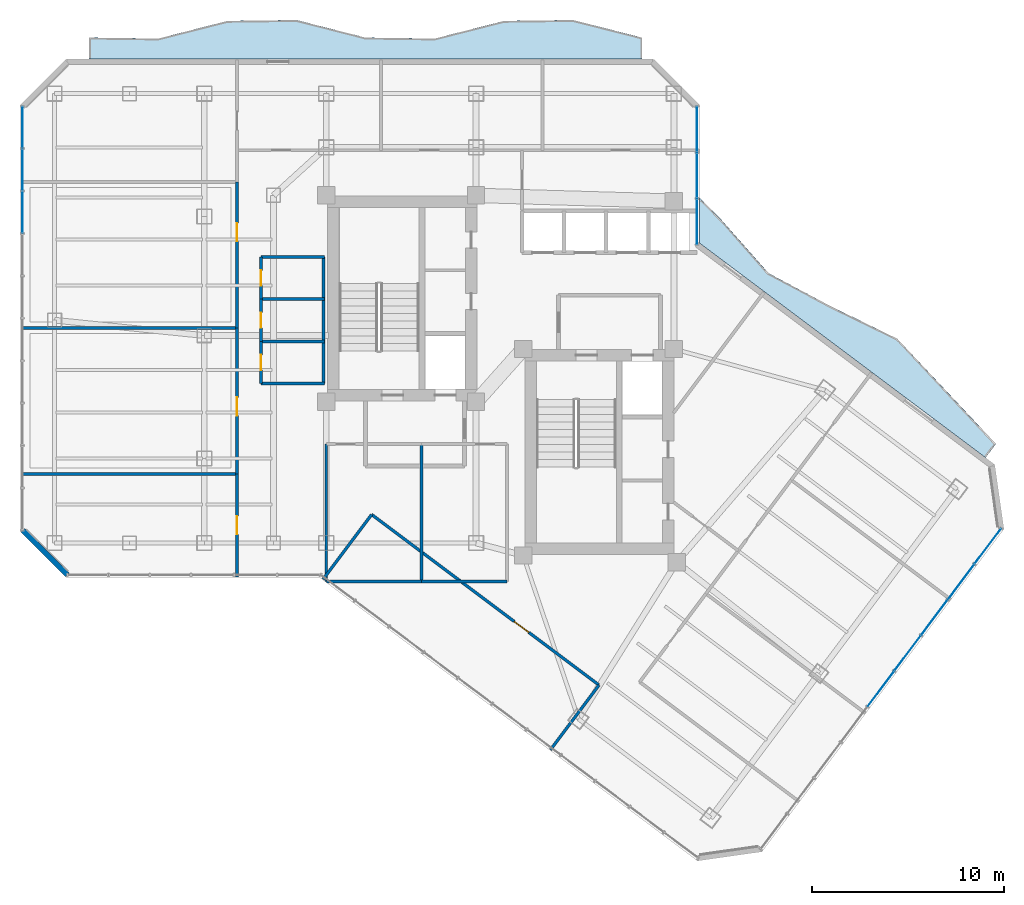
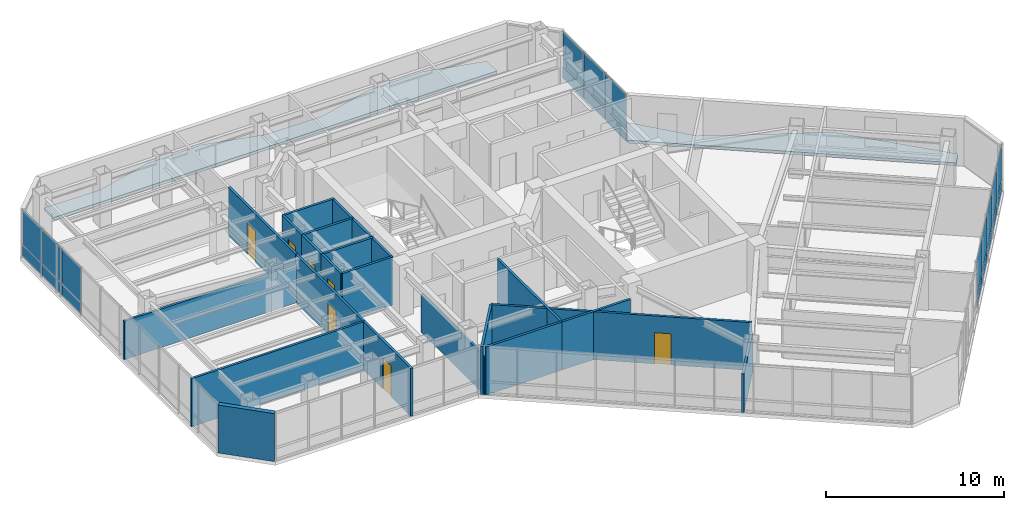
# One storey, part 24 of 29: 22 plates, 21 walls, 7 doors, 2 slabs, 7 openings, 3 elements without a shape of their own.
"""IFC4 building model written with IfcOpenShell, lengths in metres."""

from ifc_helpers import new_model, si_unit, direction, frame, frame_2d, origin, origin_2d, place, context, subcontext, project, spatial, polyline, rectangle, outline, extrude, material, layer, layer_set, type_object, element, fill, aggregate, save


model = new_model("IFC4")

# Units and contexts
model_context = context("Model", 3, precision=1e-05, world=origin(), true_north=direction((0.0, 1.0)))
body_context = subcontext(model_context, "Body", "Model", "MODEL_VIEW")
ifc_project = project(units=[si_unit("LENGTHUNIT", "METRE"), si_unit("AREAUNIT", "SQUARE_METRE"), si_unit("VOLUMEUNIT", "CUBIC_METRE"), si_unit("PLANEANGLEUNIT", "RADIAN"), si_unit("MASSUNIT", "GRAM", prefix="KILO")], contexts=[model_context])

# Site, building, storey
site_placement = place(None, origin())
site = spatial("IfcSite", under=ifc_project, at=site_placement, CompositionType="ELEMENT")
building_placement = place(site_placement, origin())
building = spatial("IfcBuilding", under=site, at=building_placement, Name="Hatsunagi Terrace Concourse", CompositionType="ELEMENT")
storey_placement = place(building_placement, frame((0.0, 0.0, 178.050048828125)))
storey = spatial("IfcBuildingStorey", under=building, at=storey_placement, Name="L47", CompositionType="ELEMENT", Elevation=178.050048828125)

# Curtain wall, plates
ifc_material_1 = material(Name="Anodised Aluminium Alloy 6063-T5", Category="aluminium")
ifc_layer_1 = layer(ifc_material_1, 0.199951171875)
ifc_layer_set_1 = layer_set([ifc_layer_1], Name="OfficeZone1_CW03")
curtain_wall_type = type_object("IfcCurtainWallType", Name="OfficeZone1_CW03", PredefinedType="NOTDEFINED", material=ifc_layer_set_1)
curtain_wall_1_placement = place(storey_placement, origin())
curtain_wall_1 = element("IfcCurtainWall", 1, at=curtain_wall_1_placement, inside=storey, type_object=curtain_wall_type, Name="Unitised Curtain Wall CW-03 CW-L47-03", PredefinedType="NOTDEFINED")
ifc_material_2 = material(Name="Warm Terracotta Ceramic Spandrel Panel", Category="masonry")
ifc_layer_2 = layer(ifc_material_2, 0.031982421875)
ifc_layer_set_2 = layer_set([ifc_layer_2], Name="CurtainWallSpandrelPanel_32")
plate_type_1 = type_object("IfcPlateType", Name="CurtainWallSpandrelPanel_32", PredefinedType="SHEET", material=ifc_layer_set_2)
plate_1_placement = place(storey_placement, frame((59.9970703125, 25.030029296875, 0.030029296875), z_axis=(0.0, 0.0, 1.0), x_axis=(-0.599969314634, -0.800023013105, 0.0)))
plate_1 = element("IfcPlate", 2, at=plate_1_placement, type_object=plate_type_1, Name="Terracotta Spandrel Panel SPN-01", PredefinedType="SHEET", context=body_context, shape_type="SweptSolid", body=[
    extrude(rectangle(XDim=2.264892578125, YDim=0.031982421875, at=origin_2d()), origin(), (0.0, 0.0, 1.0), 0.7900390625),
])
plate_2_placement = place(storey_placement, frame((58.60498046875, 23.173095703125, 0.030029296875), z_axis=(0.0, 0.0, 1.0), x_axis=(-0.599969314634, -0.800023013105, 0.0)))
plate_2 = element("IfcPlate", 3, at=plate_2_placement, type_object=plate_type_1, Name="Terracotta Spandrel Panel SPN-01", PredefinedType="SHEET", context=body_context, shape_type="SweptSolid", body=[
    extrude(rectangle(XDim=2.264892578125, YDim=0.031982421875, at=origin_2d()), origin(), (0.0, 0.0, 1.0), 0.7900390625),
])
plate_3_placement = place(storey_placement, frame((57.2119140625, 21.31689453125, 0.030029296875), z_axis=(0.0, 0.0, 1.0), x_axis=(-0.599969314634, -0.800023013105, 0.0)))
plate_3 = element("IfcPlate", 4, at=plate_3_placement, type_object=plate_type_1, Name="Terracotta Spandrel Panel SPN-01", PredefinedType="SHEET", context=body_context, shape_type="SweptSolid", body=[
    extrude(rectangle(XDim=2.264892578125, YDim=0.031982421875, at=origin_2d()), origin(), (0.0, 0.0, 1.0), 0.7900390625),
])
plate_4_placement = place(storey_placement, frame((55.820068359375, 19.4599609375, 0.030029296875), z_axis=(0.0, 0.0, 1.0), x_axis=(-0.599969314634, -0.800023013105, 0.0)))
plate_4 = element("IfcPlate", 5, at=plate_4_placement, type_object=plate_type_1, Name="Terracotta Spandrel Panel SPN-01", PredefinedType="SHEET", context=body_context, shape_type="SweptSolid", body=[
    extrude(rectangle(XDim=2.264892578125, YDim=0.031982421875, at=origin_2d()), origin(), (0.0, 0.0, 1.0), 0.7900390625),
])
plate_5_placement = place(storey_placement, frame((54.427978515625, 17.60400390625, 0.030029296875), z_axis=(0.0, 0.0, 1.0), x_axis=(-0.599969314634, -0.800023013105, 0.0)))
plate_5 = element("IfcPlate", 6, at=plate_5_placement, type_object=plate_type_1, Name="Terracotta Spandrel Panel SPN-01", PredefinedType="SHEET", context=body_context, shape_type="SweptSolid", body=[
    extrude(rectangle(XDim=2.264892578125, YDim=0.031982421875, at=origin_2d()), origin(), (0.0, 0.0, 1.0), 0.7900390625),
])

curtain_wall_2_placement = place(storey_placement, origin())
curtain_wall_2 = element("IfcCurtainWall", 7, at=curtain_wall_2_placement, inside=storey, type_object=curtain_wall_type, Name="Unitised Curtain Wall CW-03 CW-L47-09", PredefinedType="NOTDEFINED")
plate_6_placement = place(storey_placement, frame((9.739990234375, 42.4208984375, 0.030029296875), z_axis=(0.0, 0.0, 1.0), x_axis=(0.0, 1.0, 0.0)))
plate_6 = element("IfcPlate", 8, at=plate_6_placement, type_object=plate_type_1, Name="Terracotta Spandrel Panel SPN-01", PredefinedType="SHEET", context=body_context, shape_type="SweptSolid", body=[
    extrude(rectangle(XDim=2.153076171875, YDim=0.031982421875, at=origin_2d()), origin(), (0.0, 0.0, 1.0), 0.7900390625),
])
plate_7_placement = place(storey_placement, frame((9.739990234375, 44.62890625, 0.030029296875), z_axis=(0.0, 0.0, 1.0), x_axis=(0.0, 1.0, 0.0)))
plate_7 = element("IfcPlate", 9, at=plate_7_placement, type_object=plate_type_1, Name="Terracotta Spandrel Panel SPN-01", PredefinedType="SHEET", context=body_context, shape_type="SweptSolid", body=[
    extrude(rectangle(XDim=2.153076171875, YDim=0.031982421875, at=origin_2d()), origin(), (0.0, 0.0, 1.0), 0.7900390625),
])
plate_8_placement = place(storey_placement, frame((9.739990234375, 46.837890625, 0.030029296875), z_axis=(0.0, 0.0, 1.0), x_axis=(0.0, 1.0, 0.0)))
plate_8 = element("IfcPlate", 10, at=plate_8_placement, type_object=plate_type_1, Name="Terracotta Spandrel Panel SPN-01", PredefinedType="SHEET", context=body_context, shape_type="SweptSolid", body=[
    extrude(rectangle(XDim=2.153076171875, YDim=0.031982421875, at=origin_2d()), origin(), (0.0, 0.0, 1.0), 0.7900390625),
])

curtain_wall_3_placement = place(storey_placement, origin())
curtain_wall_3 = element("IfcCurtainWall", 11, at=curtain_wall_3_placement, inside=storey, type_object=curtain_wall_type, Name="Unitised Curtain Wall CW-03 CW-L47-13", PredefinedType="NOTDEFINED")
plate_9_placement = place(storey_placement, frame((44.860107421875, 46.739990234375, 0.030029296875), z_axis=(0.0, 0.0, 1.0), x_axis=(0.0, -1.0, 0.0)))
plate_9 = element("IfcPlate", 12, at=plate_9_placement, type_object=plate_type_1, Name="Terracotta Spandrel Panel SPN-01", PredefinedType="SHEET", context=body_context, shape_type="SweptSolid", body=[
    extrude(rectangle(XDim=2.34912109375, YDim=0.031982421875, at=origin_2d()), origin(), (0.0, 0.0, 1.0), 0.7900390625),
])
plate_10_placement = place(storey_placement, frame((44.860107421875, 44.3359375, 0.030029296875), z_axis=(0.0, 0.0, 1.0), x_axis=(0.0, -1.0, 0.0)))
plate_10 = element("IfcPlate", 13, at=plate_10_placement, type_object=plate_type_1, Name="Terracotta Spandrel Panel SPN-01", PredefinedType="SHEET", context=body_context, shape_type="SweptSolid", body=[
    extrude(rectangle(XDim=2.34912109375, YDim=0.031982421875, at=origin_2d()), origin(), (0.0, 0.0, 1.0), 0.7900390625),
])
plate_11_placement = place(storey_placement, frame((44.860107421875, 41.931884765625, 0.030029296875), z_axis=(0.0, 0.0, 1.0), x_axis=(0.0, -1.0, 0.0)))
plate_11 = element("IfcPlate", 14, at=plate_11_placement, type_object=plate_type_1, Name="Terracotta Spandrel Panel SPN-01", PredefinedType="SHEET", context=body_context, shape_type="SweptSolid", body=[
    extrude(rectangle(XDim=2.34912109375, YDim=0.031982421875, at=origin_2d()), origin(), (0.0, 0.0, 1.0), 0.7900390625),
])

# Plate
ifc_material_3 = material(Name="Low-E Double Insulating Glass 28mm", Category="glass")
ifc_layer_3 = layer(ifc_material_3, 0.028076171875)
ifc_layer_set_3 = layer_set([ifc_layer_3], Name="CurtainWallVisionGlass_28")
plate_type_2 = type_object("IfcPlateType", Name="CurtainWallVisionGlass_28", PredefinedType="CURTAIN_PANEL", material=ifc_layer_set_3)
plate_12_placement = place(storey_placement, frame((59.9970703125, 25.030029296875, 0.8798828125), z_axis=(0.0, 0.0, 1.0), x_axis=(-0.599969314634, -0.800023013105, 0.0)))
plate_12 = element("IfcPlate", 15, at=plate_12_placement, type_object=plate_type_2, Name="Low-E Vision Glass Panel GLZ-01", PredefinedType="CURTAIN_PANEL", context=body_context, shape_type="SweptSolid", body=[
    extrude(rectangle(XDim=2.264892578125, YDim=0.028076171875, at=origin_2d()), origin(), (0.0, 0.0, 1.0), 2.389892578125),
])

plate_13_placement = place(storey_placement, frame((58.60498046875, 23.173095703125, 0.8798828125), z_axis=(0.0, 0.0, 1.0), x_axis=(-0.599969314634, -0.800023013105, 0.0)))
plate_13 = element("IfcPlate", 16, at=plate_13_placement, type_object=plate_type_2, Name="Low-E Vision Glass Panel GLZ-01", PredefinedType="CURTAIN_PANEL", context=body_context, shape_type="SweptSolid", body=[
    extrude(rectangle(XDim=2.264892578125, YDim=0.028076171875, at=origin_2d()), origin(), (0.0, 0.0, 1.0), 2.389892578125),
])

plate_14_placement = place(storey_placement, frame((57.2119140625, 21.31689453125, 0.8798828125), z_axis=(0.0, 0.0, 1.0), x_axis=(-0.599969314634, -0.800023013105, 0.0)))
plate_14 = element("IfcPlate", 17, at=plate_14_placement, type_object=plate_type_2, Name="Low-E Vision Glass Panel GLZ-01", PredefinedType="CURTAIN_PANEL", context=body_context, shape_type="SweptSolid", body=[
    extrude(rectangle(XDim=2.264892578125, YDim=0.028076171875, at=origin_2d()), origin(), (0.0, 0.0, 1.0), 2.389892578125),
])

plate_15_placement = place(storey_placement, frame((55.820068359375, 19.4599609375, 0.8798828125), z_axis=(0.0, 0.0, 1.0), x_axis=(-0.599969314634, -0.800023013105, 0.0)))
plate_15 = element("IfcPlate", 18, at=plate_15_placement, type_object=plate_type_2, Name="Low-E Vision Glass Panel GLZ-01", PredefinedType="CURTAIN_PANEL", context=body_context, shape_type="SweptSolid", body=[
    extrude(rectangle(XDim=2.264892578125, YDim=0.028076171875, at=origin_2d()), origin(), (0.0, 0.0, 1.0), 2.389892578125),
])

plate_16_placement = place(storey_placement, frame((54.427978515625, 17.60400390625, 0.8798828125), z_axis=(0.0, 0.0, 1.0), x_axis=(-0.599969314634, -0.800023013105, 0.0)))
plate_16 = element("IfcPlate", 19, at=plate_16_placement, type_object=plate_type_2, Name="Low-E Vision Glass Panel GLZ-01", PredefinedType="CURTAIN_PANEL", context=body_context, shape_type="SweptSolid", body=[
    extrude(rectangle(XDim=2.264892578125, YDim=0.028076171875, at=origin_2d()), origin(), (0.0, 0.0, 1.0), 2.389892578125),
])

aggregate(curtain_wall_1, [plate_1, plate_12, plate_2, plate_13, plate_3, plate_14, plate_4, plate_15, plate_5, plate_16])

plate_17_placement = place(storey_placement, frame((9.739990234375, 42.4208984375, 0.8798828125), z_axis=(0.0, 0.0, 1.0), x_axis=(0.0, 1.0, 0.0)))
plate_17 = element("IfcPlate", 20, at=plate_17_placement, type_object=plate_type_2, Name="Low-E Vision Glass Panel GLZ-01", PredefinedType="CURTAIN_PANEL", context=body_context, shape_type="SweptSolid", body=[
    extrude(rectangle(XDim=2.153076171875, YDim=0.028076171875, at=origin_2d()), origin(), (0.0, 0.0, 1.0), 2.389892578125),
])

plate_18_placement = place(storey_placement, frame((9.739990234375, 44.62890625, 0.8798828125), z_axis=(0.0, 0.0, 1.0), x_axis=(0.0, 1.0, 0.0)))
plate_18 = element("IfcPlate", 21, at=plate_18_placement, type_object=plate_type_2, Name="Low-E Vision Glass Panel GLZ-01", PredefinedType="CURTAIN_PANEL", context=body_context, shape_type="SweptSolid", body=[
    extrude(rectangle(XDim=2.153076171875, YDim=0.028076171875, at=origin_2d()), origin(), (0.0, 0.0, 1.0), 2.389892578125),
])

plate_19_placement = place(storey_placement, frame((9.739990234375, 46.837890625, 0.8798828125), z_axis=(0.0, 0.0, 1.0), x_axis=(0.0, 1.0, 0.0)))
plate_19 = element("IfcPlate", 22, at=plate_19_placement, type_object=plate_type_2, Name="Low-E Vision Glass Panel GLZ-01", PredefinedType="CURTAIN_PANEL", context=body_context, shape_type="SweptSolid", body=[
    extrude(rectangle(XDim=2.153076171875, YDim=0.028076171875, at=origin_2d()), origin(), (0.0, 0.0, 1.0), 2.389892578125),
])

aggregate(curtain_wall_2, [plate_6, plate_17, plate_7, plate_18, plate_8, plate_19])

plate_20_placement = place(storey_placement, frame((44.860107421875, 46.739990234375, 0.8798828125), z_axis=(0.0, 0.0, 1.0), x_axis=(0.0, -1.0, 0.0)))
plate_20 = element("IfcPlate", 23, at=plate_20_placement, type_object=plate_type_2, Name="Low-E Vision Glass Panel GLZ-01", PredefinedType="CURTAIN_PANEL", context=body_context, shape_type="SweptSolid", body=[
    extrude(rectangle(XDim=2.34912109375, YDim=0.028076171875, at=origin_2d()), origin(), (0.0, 0.0, 1.0), 2.389892578125),
])

plate_21_placement = place(storey_placement, frame((44.860107421875, 44.3359375, 0.8798828125), z_axis=(0.0, 0.0, 1.0), x_axis=(0.0, -1.0, 0.0)))
plate_21 = element("IfcPlate", 24, at=plate_21_placement, type_object=plate_type_2, Name="Low-E Vision Glass Panel GLZ-01", PredefinedType="CURTAIN_PANEL", context=body_context, shape_type="SweptSolid", body=[
    extrude(rectangle(XDim=2.34912109375, YDim=0.028076171875, at=origin_2d()), origin(), (0.0, 0.0, 1.0), 2.389892578125),
])

plate_22_placement = place(storey_placement, frame((44.860107421875, 41.931884765625, 0.8798828125), z_axis=(0.0, 0.0, 1.0), x_axis=(0.0, -1.0, 0.0)))
plate_22 = element("IfcPlate", 25, at=plate_22_placement, type_object=plate_type_2, Name="Low-E Vision Glass Panel GLZ-01", PredefinedType="CURTAIN_PANEL", context=body_context, shape_type="SweptSolid", body=[
    extrude(rectangle(XDim=2.34912109375, YDim=0.028076171875, at=origin_2d()), origin(), (0.0, 0.0, 1.0), 2.389892578125),
])

aggregate(curtain_wall_3, [plate_9, plate_20, plate_10, plate_21, plate_11, plate_22])

# Slabs
ifc_material_4 = material(Name="Concrete Fc42", Category="concrete")
ifc_layer_4 = layer(ifc_material_4, 0.199951171875)
ifc_layer_set_4 = layer_set([ifc_layer_4], Name="EngawaBalconySlab_Fc42_200")
slab_type = type_object("IfcSlabType", Name="EngawaBalconySlab_Fc42_200", PredefinedType="FLOOR", material=ifc_layer_set_4)
slab_1_placement = place(storey_placement, frame((0.0, 0.0, -0.199951171875)))
element("IfcSlab", 26, at=slab_1_placement, inside=storey, type_object=slab_type, Name="Engawa Balcony Slab BAL-L47-BN", PredefinedType="FLOOR", context=body_context, shape_type="SweptSolid", body=[
    extrude(outline(polyline([(13.199951171875, 51.514892578125), (13.199951171875, 50.39990234375), (42.0, 50.39990234375), (42.0, 51.514892578125), (38.39990234375, 52.43310546875), (34.800048828125, 52.385009765625), (31.199951171875, 51.467041015625), (27.60009765625, 51.514892578125), (24.0, 52.43310546875), (20.39990234375, 52.385009765625), (16.800048828125, 51.467041015625), (13.199951171875, 51.514892578125)])), origin(), (0.0, 0.0, 1.0), 0.199951171875),
])
slab_2_placement = place(storey_placement, frame((0.0, 0.0, -0.199951171875)))
element("IfcSlab", 27, at=slab_2_placement, inside=storey, type_object=slab_type, Name="Engawa Balcony Slab BAL-L47-BSE", PredefinedType="FLOOR", context=body_context, shape_type="SweptSolid", body=[
    extrude(outline(polyline([(46.0810546875, 42.074951171875), (44.99609375, 43.152099609375), (44.99609375, 40.802978515625), (59.8798828125, 29.639892578125), (60.419921875, 30.360107421875), (55.279052734375, 35.839111328125), (51.89306640625, 37.489990234375), (48.583984375, 39.2451171875), (46.0810546875, 42.074951171875)])), origin(), (0.0, 0.0, 1.0), 0.199951171875),
])

# Walls
ifc_material_5 = material(Name="Acoustic mineral board", Category="gypsum")
ifc_layer_5 = layer(ifc_material_5, 0.14990234375)
ifc_layer_set_5 = layer_set([ifc_layer_5], Name="PartitionWall_EI60_150")
wall_type_1 = type_object("IfcWallType", Name="PartitionWall_EI60_150", PredefinedType="PARTITIONING", material=ifc_layer_set_5)
for number, where, z_axis, x_axis, name in (
    (28, (22.14990234375, 33.5, 0.0), (0.0, 0.0, 1.0), (1.0, 0.0, 0.0), "Interior Partition IW-L47-017"),
    (29, (22.14990234375, 40.10009765625, 0.0), (0.0, 0.0, 1.0), (1.0, 0.0, 0.0), "Interior Partition IW-L47-018"),
):
    element("IfcWall", number, at=place(storey_placement, frame(where, z_axis=z_axis, x_axis=x_axis)), inside=storey, type_object=wall_type_1, Name=name, PredefinedType="PARTITIONING", context=body_context, shape_type="SweptSolid", body=[
        extrude(rectangle(XDim=3.300048828125, YDim=0.14990234375, at=frame_2d((1.64990234375, 0.0))), origin(), (0.0, 0.0, 1.0), 3.300048828125),
    ])
wall_1_placement = place(storey_placement, frame((25.39990234375, 33.5, 0.0), z_axis=(0.0, 0.0, 1.0), x_axis=(0.0, 1.0, 0.0)))
element("IfcWall", 30, at=wall_1_placement, inside=storey, type_object=wall_type_1, Name="Interior Partition IW-L47-019", PredefinedType="PARTITIONING", context=body_context, shape_type="SweptSolid", body=[
    extrude(rectangle(XDim=6.60009765625, YDim=0.14990234375, at=frame_2d((3.300048828125, 0.0))), origin(), (0.0, 0.0, 1.0), 3.300048828125),
])
for number, where, z_axis, x_axis, name in (
    (31, (22.14990234375, 35.699951171875, 0.0), (0.0, 0.0, 1.0), (1.0, 0.0, 0.0), "Interior Partition IW-L47-020"),
    (32, (22.14990234375, 37.89990234375, 0.0), (0.0, 0.0, 1.0), (1.0, 0.0, 0.0), "Interior Partition IW-L47-021"),
):
    element("IfcWall", number, at=place(storey_placement, frame(where, z_axis=z_axis, x_axis=x_axis)), inside=storey, type_object=wall_type_1, Name=name, PredefinedType="PARTITIONING", context=body_context, shape_type="SweptSolid", body=[
        extrude(rectangle(XDim=3.300048828125, YDim=0.14990234375, at=frame_2d((1.64990234375, 0.0))), origin(), (0.0, 0.0, 1.0), 3.300048828125),
    ])

# Wall, opening, door
wall_2_placement = place(storey_placement, frame((22.14990234375, 33.5, 0.0), z_axis=(0.0, 0.0, 1.0), x_axis=(0.0, 1.0, 0.0)))
wall_2 = element("IfcWall", 33, at=wall_2_placement, inside=storey, type_object=wall_type_1, Name="Interior Partition IW-L47-022", PredefinedType="PARTITIONING", context=body_context, shape_type="SweptSolid", body=[
    extrude(rectangle(XDim=2.199951171875, YDim=0.14990234375, at=frame_2d((1.10009765625, 0.0))), origin(), (0.0, 0.0, 1.0), 3.300048828125),
])
opening_1_placement = place(wall_2_placement, frame((0.699951171875, 0.0, 0.0)))
opening_1 = element("IfcOpeningElement", 34, at=opening_1_placement, cuts=wall_2, Name="Opening DR-080", PredefinedType="OPENING", context=body_context, shape_type="SweptSolid", body=[
    extrude(rectangle(XDim=0.800048828125, YDim=2.06005859375, at=frame_2d((0.39990234375, 1.030029296875))), frame((0.0, 0.0849609375, 0.0), z_axis=(0.0, -1.0, 0.0), x_axis=(1.0, 0.0, 0.0)), (0.0, 0.0, 1.0), 0.169921875),
])
ifc_material_6 = material(Name="Hardwood timber", Category="wood")
door_type_1 = type_object("IfcDoorType", Name="BathroomDoor_800", OperationType="NOTDEFINED", PredefinedType="DOOR", material=ifc_material_6)
door_1_placement = place(opening_1_placement, origin())
door_1 = element("IfcDoor", 35, at=door_1_placement, inside=storey, type_object=door_type_1, Name="Accessible WC Door L47", OperationType="SINGLE_SWING_RIGHT", OverallHeight=2.06005859375, OverallWidth=0.800048828125, PredefinedType="DOOR", context=body_context, shape_type="SweptSolid", body=[
    extrude(rectangle(XDim=0.800048828125, YDim=2.06005859375, at=frame_2d((0.39990234375, 1.030029296875))), frame((0.0, 0.02490234375, 0.0), z_axis=(0.0, -1.0, 0.0), x_axis=(1.0, 0.0, 0.0)), (0.0, 0.0, 1.0), 0.050048828125),
])
fill(opening_1, door_1)

wall_3_placement = place(storey_placement, frame((22.14990234375, 35.699951171875, 0.0), z_axis=(0.0, 0.0, 1.0), x_axis=(0.0, 1.0, 0.0)))
wall_3 = element("IfcWall", 36, at=wall_3_placement, inside=storey, type_object=wall_type_1, Name="Interior Partition IW-L47-023", PredefinedType="PARTITIONING", context=body_context, shape_type="SweptSolid", body=[
    extrude(rectangle(XDim=2.199951171875, YDim=0.14990234375, at=frame_2d((1.10009765625, 0.0))), origin(), (0.0, 0.0, 1.0), 3.300048828125),
])
opening_2_placement = place(wall_3_placement, frame((0.699951171875, 0.0, 0.0)))
opening_2 = element("IfcOpeningElement", 37, at=opening_2_placement, cuts=wall_3, Name="Opening DR-080", PredefinedType="OPENING", context=body_context, shape_type="SweptSolid", body=[
    extrude(rectangle(XDim=0.800048828125, YDim=2.06005859375, at=frame_2d((0.39990234375, 1.030029296875))), frame((0.0, 0.0849609375, 0.0), z_axis=(0.0, -1.0, 0.0), x_axis=(1.0, 0.0, 0.0)), (0.0, 0.0, 1.0), 0.169921875),
])
door_2_placement = place(opening_2_placement, origin())
door_2 = element("IfcDoor", 38, at=door_2_placement, inside=storey, type_object=door_type_1, Name="Female Restroom Door L47", OperationType="SINGLE_SWING_RIGHT", OverallHeight=2.06005859375, OverallWidth=0.800048828125, PredefinedType="DOOR", context=body_context, shape_type="SweptSolid", body=[
    extrude(rectangle(XDim=0.800048828125, YDim=2.06005859375, at=frame_2d((0.39990234375, 1.030029296875))), frame((0.0, 0.02490234375, 0.0), z_axis=(0.0, -1.0, 0.0), x_axis=(1.0, 0.0, 0.0)), (0.0, 0.0, 1.0), 0.050048828125),
])
fill(opening_2, door_2)

wall_4_placement = place(storey_placement, frame((22.14990234375, 37.89990234375, 0.0), z_axis=(0.0, 0.0, 1.0), x_axis=(0.0, 1.0, 0.0)))
wall_4 = element("IfcWall", 39, at=wall_4_placement, inside=storey, type_object=wall_type_1, Name="Interior Partition IW-L47-024", PredefinedType="PARTITIONING", context=body_context, shape_type="SweptSolid", body=[
    extrude(rectangle(XDim=2.2001953125, YDim=0.14990234375, at=frame_2d((1.10009765625, 0.0))), origin(), (0.0, 0.0, 1.0), 3.300048828125),
])
opening_3_placement = place(wall_4_placement, frame((0.699951171875, 0.0, 0.0)))
opening_3 = element("IfcOpeningElement", 40, at=opening_3_placement, cuts=wall_4, Name="Opening DR-080", PredefinedType="OPENING", context=body_context, shape_type="SweptSolid", body=[
    extrude(rectangle(XDim=0.800048828125, YDim=2.06005859375, at=frame_2d((0.39990234375, 1.030029296875))), frame((0.0, 0.0849609375, 0.0), z_axis=(0.0, -1.0, 0.0), x_axis=(1.0, 0.0, 0.0)), (0.0, 0.0, 1.0), 0.169921875),
])
door_3_placement = place(opening_3_placement, origin())
door_3 = element("IfcDoor", 41, at=door_3_placement, inside=storey, type_object=door_type_1, Name="Male Restroom Door L47", OperationType="SINGLE_SWING_RIGHT", OverallHeight=2.06005859375, OverallWidth=0.800048828125, PredefinedType="DOOR", context=body_context, shape_type="SweptSolid", body=[
    extrude(rectangle(XDim=0.800048828125, YDim=2.06005859375, at=frame_2d((0.39990234375, 1.030029296875))), frame((0.0, 0.02490234375, 0.0), z_axis=(0.0, -1.0, 0.0), x_axis=(1.0, 0.0, 0.0)), (0.0, 0.0, 1.0), 0.050048828125),
])
fill(opening_3, door_3)

# Walls
wall_5_placement = place(storey_placement, frame((25.550048828125, 23.199951171875, 0.0), z_axis=(0.0, 0.0, 1.0), x_axis=(1.0, 0.0, 0.0)))
element("IfcWall", 42, at=wall_5_placement, inside=storey, type_object=wall_type_1, Name="Interior Partition IW-L47-025", PredefinedType="PARTITIONING", context=body_context, shape_type="SweptSolid", body=[
    extrude(rectangle(XDim=4.949951171875, YDim=0.14990234375, at=frame_2d((2.47509765625, 0.0))), origin(), (0.0, 0.0, 1.0), 3.300048828125),
])
wall_6_placement = place(storey_placement, frame((25.550048828125, 23.199951171875, 0.0), z_axis=(0.0, 0.0, 1.0), x_axis=(0.0, 1.0, 0.0)))
element("IfcWall", 43, at=wall_6_placement, inside=storey, type_object=wall_type_1, Name="Interior Partition IW-L47-027", PredefinedType="PARTITIONING", context=body_context, shape_type="SweptSolid", body=[
    extrude(rectangle(XDim=7.150146484375, YDim=0.14990234375, at=frame_2d((3.5751953125, 0.0))), origin(), (0.0, 0.0, 1.0), 2.64501953125),
])
wall_7_placement = place(storey_placement, frame((30.5, 23.199951171875, 0.0), z_axis=(0.0, 0.0, 1.0), x_axis=(0.0, 1.0, 0.0)))
element("IfcWall", 44, at=wall_7_placement, inside=storey, type_object=wall_type_1, Name="Interior Partition IW-L47-028", PredefinedType="PARTITIONING", context=body_context, shape_type="SweptSolid", body=[
    extrude(rectangle(XDim=7.150146484375, YDim=0.14990234375, at=frame_2d((3.5751953125, 0.0))), origin(), (0.0, 0.0, 1.0), 3.300048828125),
])
wall_8_placement = place(storey_placement, frame((30.5, 23.199951171875, 0.0), z_axis=(0.0, 0.0, 1.0), x_axis=(1.0, 0.0, 0.0)))
element("IfcWall", 45, at=wall_8_placement, inside=storey, type_object=wall_type_1, Name="Interior Partition IW-L47-029", PredefinedType="PARTITIONING", context=body_context, shape_type="SweptSolid", body=[
    extrude(rectangle(XDim=4.449951171875, YDim=0.14990234375, at=frame_2d((2.22509765625, 0.0))), origin(), (0.0, 0.0, 1.0), 3.300048828125),
])
wall_9_placement = place(storey_placement, frame((9.639892578125, 28.800048828125, 0.0), z_axis=(0.0, 0.0, 1.0), x_axis=(1.0, 0.0, 0.0)))
element("IfcWall", 46, at=wall_9_placement, inside=storey, type_object=wall_type_1, Name="Interior Partition IW-L47-032", PredefinedType="PARTITIONING", context=body_context, shape_type="SweptSolid", body=[
    extrude(rectangle(XDim=11.260009765625, YDim=0.14990234375, at=frame_2d((5.6298828125, 0.0))), origin(), (0.0, 0.0, 1.0), 3.300048828125),
])

# Wall, opening, door
wall_10_placement = place(storey_placement, frame((20.89990234375, 23.43994140625, 0.0), z_axis=(0.0, 0.0, 1.0), x_axis=(0.0, 1.0, 0.0)))
wall_10 = element("IfcWall", 47, at=wall_10_placement, inside=storey, type_object=wall_type_1, Name="Interior Partition IW-L47-033", PredefinedType="PARTITIONING", context=body_context, shape_type="SweptSolid", body=[
    extrude(rectangle(XDim=5.360107421875, YDim=0.14990234375, at=frame_2d((2.68017578125, 0.0))), origin(), (0.0, 0.0, 1.0), 3.300048828125),
])
opening_4_placement = place(wall_10_placement, frame((2.205078125, 0.0, 0.0)))
opening_4 = element("IfcOpeningElement", 48, at=opening_4_placement, cuts=wall_10, Name="Opening DR-095", PredefinedType="OPENING", context=body_context, shape_type="SweptSolid", body=[
    extrude(rectangle(XDim=0.949951171875, YDim=2.14990234375, at=frame_2d((0.47509765625, 1.074951171875))), frame((0.0, 0.0849609375, 0.0), z_axis=(0.0, -1.0, 0.0), x_axis=(1.0, 0.0, 0.0)), (0.0, 0.0, 1.0), 0.169921875),
])
ifc_material_7 = material(Name="Hardwood timber", Category="wood")
door_type_2 = type_object("IfcDoorType", Name="InteriorSuiteDoor_EI30_950", OperationType="NOTDEFINED", PredefinedType="DOOR", material=ifc_material_7)
door_4_placement = place(opening_4_placement, origin())
door_4 = element("IfcDoor", 49, at=door_4_placement, inside=storey, type_object=door_type_2, Name="Meeting Room L47-OW1 Door", OperationType="SINGLE_SWING_RIGHT", OverallHeight=2.14990234375, OverallWidth=0.949951171875, PredefinedType="DOOR", context=body_context, shape_type="SweptSolid", body=[
    extrude(rectangle(XDim=0.949951171875, YDim=2.14990234375, at=frame_2d((0.47509765625, 1.074951171875))), frame((0.0, 0.02490234375, 0.0), z_axis=(0.0, -1.0, 0.0), x_axis=(1.0, 0.0, 0.0)), (0.0, 0.0, 1.0), 0.050048828125),
])
fill(opening_4, door_4)

# Wall
wall_11_placement = place(storey_placement, frame((9.639892578125, 36.39990234375, 0.0), z_axis=(0.0, 0.0, 1.0), x_axis=(1.0, 0.0, 0.0)))
element("IfcWall", 50, at=wall_11_placement, inside=storey, type_object=wall_type_1, Name="Interior Partition IW-L47-034", PredefinedType="PARTITIONING", context=body_context, shape_type="SweptSolid", body=[
    extrude(rectangle(XDim=11.260009765625, YDim=0.14990234375, at=frame_2d((5.6298828125, 0.0))), origin(), (0.0, 0.0, 1.0), 2.64501953125),
])

# Wall, opening, door
wall_12_placement = place(storey_placement, frame((20.89990234375, 28.800048828125, 0.0), z_axis=(0.0, 0.0, 1.0), x_axis=(0.0, 1.0, 0.0)))
wall_12 = element("IfcWall", 51, at=wall_12_placement, inside=storey, type_object=wall_type_1, Name="Interior Partition IW-L47-035", PredefinedType="PARTITIONING", context=body_context, shape_type="SweptSolid", body=[
    extrude(rectangle(XDim=7.599853515625, YDim=0.14990234375, at=frame_2d((3.7998046875, 0.0))), origin(), (0.0, 0.0, 1.0), 3.300048828125),
])
opening_5_placement = place(wall_12_placement, frame((3.030029296875, 0.0, 0.0)))
opening_5 = element("IfcOpeningElement", 52, at=opening_5_placement, cuts=wall_12, Name="Opening DR-095", PredefinedType="OPENING", context=body_context, shape_type="SweptSolid", body=[
    extrude(rectangle(XDim=0.949951171875, YDim=2.14990234375, at=frame_2d((0.47509765625, 1.074951171875))), frame((0.0, 0.0849609375, 0.0), z_axis=(0.0, -1.0, 0.0), x_axis=(1.0, 0.0, 0.0)), (0.0, 0.0, 1.0), 0.169921875),
])
door_5_placement = place(opening_5_placement, origin())
door_5 = element("IfcDoor", 53, at=door_5_placement, inside=storey, type_object=door_type_2, Name="Design Studio L47-OW2 Door", OperationType="SINGLE_SWING_RIGHT", OverallHeight=2.14990234375, OverallWidth=0.949951171875, PredefinedType="DOOR", context=body_context, shape_type="SweptSolid", body=[
    extrude(rectangle(XDim=0.949951171875, YDim=2.14990234375, at=frame_2d((0.47509765625, 1.074951171875))), frame((0.0, 0.02490234375, 0.0), z_axis=(0.0, -1.0, 0.0), x_axis=(1.0, 0.0, 0.0)), (0.0, 0.0, 1.0), 0.050048828125),
])
fill(opening_5, door_5)

wall_13_placement = place(storey_placement, frame((20.89990234375, 36.39990234375, 0.0), z_axis=(0.0, 0.0, 1.0), x_axis=(0.0, 1.0, 0.0)))
wall_13 = element("IfcWall", 54, at=wall_13_placement, inside=storey, type_object=wall_type_1, Name="Interior Partition IW-L47-037", PredefinedType="PARTITIONING", context=body_context, shape_type="SweptSolid", body=[
    extrude(rectangle(XDim=7.60009765625, YDim=0.14990234375, at=frame_2d((3.800048828125, 0.0))), origin(), (0.0, 0.0, 1.0), 3.300048828125),
])
opening_6_placement = place(wall_13_placement, frame((4.5029296875, 0.0, 0.0)))
opening_6 = element("IfcOpeningElement", 55, at=opening_6_placement, cuts=wall_13, Name="Opening DR-095", PredefinedType="OPENING", context=body_context, shape_type="SweptSolid", body=[
    extrude(rectangle(XDim=0.949951171875, YDim=2.14990234375, at=frame_2d((0.47509765625, 1.074951171875))), frame((0.0, 0.0849609375, 0.0), z_axis=(0.0, -1.0, 0.0), x_axis=(1.0, 0.0, 0.0)), (0.0, 0.0, 1.0), 0.169921875),
])
door_6_placement = place(opening_6_placement, origin())
door_6 = element("IfcDoor", 56, at=door_6_placement, inside=storey, type_object=door_type_2, Name="Boardroom L47-OW3 Door", OperationType="SINGLE_SWING_RIGHT", OverallHeight=2.14990234375, OverallWidth=0.949951171875, PredefinedType="DOOR", context=body_context, shape_type="SweptSolid", body=[
    extrude(rectangle(XDim=0.949951171875, YDim=2.14990234375, at=frame_2d((0.47509765625, 1.074951171875))), frame((0.0, 0.02490234375, 0.0), z_axis=(0.0, -1.0, 0.0), x_axis=(1.0, 0.0, 0.0)), (0.0, 0.0, 1.0), 0.050048828125),
])
fill(opening_6, door_6)

wall_14_placement = place(storey_placement, frame((27.909912109375, 26.679931640625, 0.0), z_axis=(0.0, 0.0, 1.0), x_axis=(0.800005938517, -0.599992081896, 0.0)))
wall_14 = element("IfcWall", 57, at=wall_14_placement, inside=storey, type_object=wall_type_1, Name="Interior Partition IW-L47-053", PredefinedType="PARTITIONING", context=body_context, shape_type="SweptSolid", body=[
    extrude(rectangle(XDim=14.800048828125, YDim=0.14990234375, at=frame_2d((7.39990234375, 0.0))), origin(), (0.0, 0.0, 1.0), 3.300048828125),
])
opening_7_placement = place(wall_14_placement, frame((9.281005859375, 0.0, 0.0)))
opening_7 = element("IfcOpeningElement", 58, at=opening_7_placement, cuts=wall_14, Name="Opening DR-095", PredefinedType="OPENING", context=body_context, shape_type="SweptSolid", body=[
    extrude(rectangle(XDim=0.949951171875, YDim=2.14990234375, at=frame_2d((0.47509765625, 1.074951171875))), frame((0.0, 0.0849609375, 0.0), z_axis=(0.0, -1.0, 0.0), x_axis=(1.0, 0.0, 0.0)), (0.0, 0.0, 1.0), 0.169921875),
])
door_7_placement = place(opening_7_placement, origin())
door_7 = element("IfcDoor", 59, at=door_7_placement, inside=storey, type_object=door_type_2, Name="Research Focus Suite L47-OSWS Door", OperationType="SINGLE_SWING_RIGHT", OverallHeight=2.14990234375, OverallWidth=0.949951171875, PredefinedType="DOOR", context=body_context, shape_type="SweptSolid", body=[
    extrude(rectangle(XDim=0.949951171875, YDim=2.14990234375, at=frame_2d((0.47509765625, 1.074951171875))), frame((0.0, 0.02490234375, 0.0), z_axis=(0.0, -1.0, 0.0), x_axis=(1.0, 0.0, 0.0)), (0.0, 0.0, 1.0), 0.050048828125),
])
fill(opening_7, door_7)

# Walls
wall_15_placement = place(storey_placement, frame((25.384033203125, 23.31201171875, 0.0), z_axis=(0.0, 0.0, 1.0), x_axis=(0.599990721155, 0.80000695905, 0.0)))
element("IfcWall", 60, at=wall_15_placement, inside=storey, type_object=wall_type_1, Name="Interior Partition IW-L47-054", PredefinedType="PARTITIONING", context=body_context, shape_type="SweptSolid", body=[
    extrude(rectangle(XDim=4.2099609375, YDim=0.14990234375, at=frame_2d((2.10498046875, 0.0))), origin(), (0.0, 0.0, 1.0), 3.300048828125),
])
wall_16_placement = place(storey_placement, frame((37.22412109375, 14.431884765625, 0.0), z_axis=(0.0, 0.0, 1.0), x_axis=(0.599962885857, 0.800027834262, 0.0)))
element("IfcWall", 61, at=wall_16_placement, inside=storey, type_object=wall_type_1, Name="Interior Partition IW-L47-055", PredefinedType="PARTITIONING", context=body_context, shape_type="SweptSolid", body=[
    extrude(rectangle(XDim=4.2099609375, YDim=0.14990234375, at=frame_2d((2.10498046875, 0.0))), origin(), (0.0, 0.0, 1.0), 2.64501953125),
])
ifc_material_8 = material(Name="Autoclaved Lightweight Concrete and Terracotta Cladding", Category="masonry")
ifc_layer_6 = layer(ifc_material_8, 0.280029296875)
ifc_layer_set_6 = layer_set([ifc_layer_6], Name="TerracottaSpandrelWall_280")
wall_type_2 = type_object("IfcWallType", Name="TerracottaSpandrelWall_280", PredefinedType="STANDARD", material=ifc_layer_set_6)
wall_17_placement = place(storey_placement, frame((12.05810546875, 23.5400390625, 0.0), z_axis=(0.0, 0.0, 1.0), x_axis=(-0.707144017911, 0.707069542501, 0.0)))
element("IfcWall", 62, at=wall_17_placement, inside=storey, type_object=wall_type_2, Name="Exterior Spandrel Wall EW-L47-08", PredefinedType="STANDARD", context=body_context, shape_type="SweptSolid", body=[
    extrude(rectangle(XDim=3.278076171875, YDim=0.280029296875, at=frame_2d((1.63916015625, 0.0))), origin(), (0.0, 0.0, 1.0), 3.300048828125),
])

save(model, "model.ifc")
